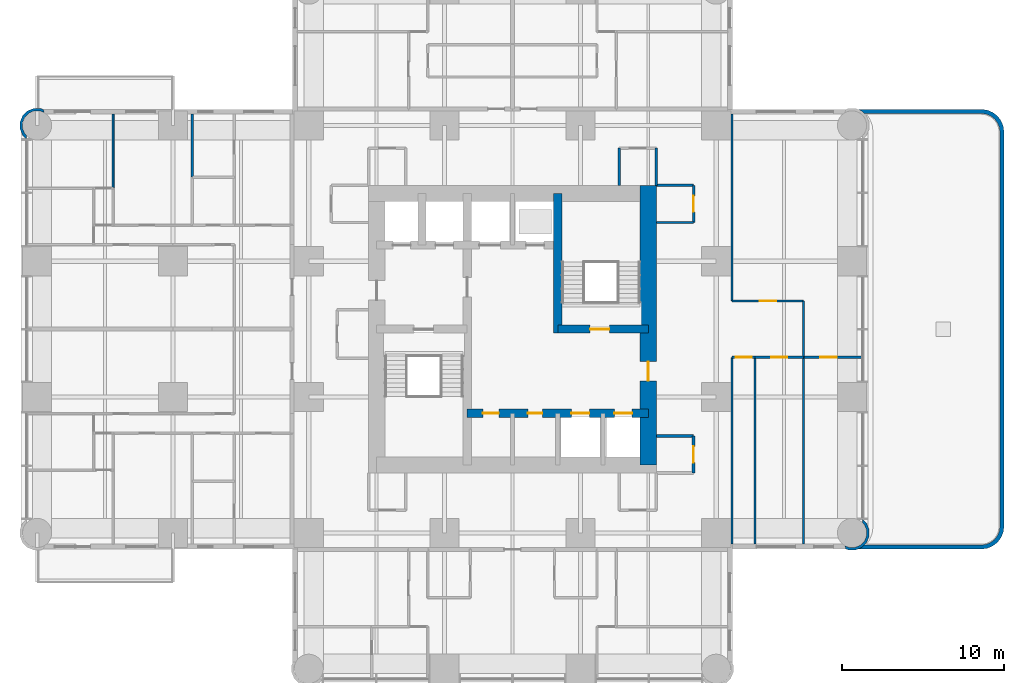
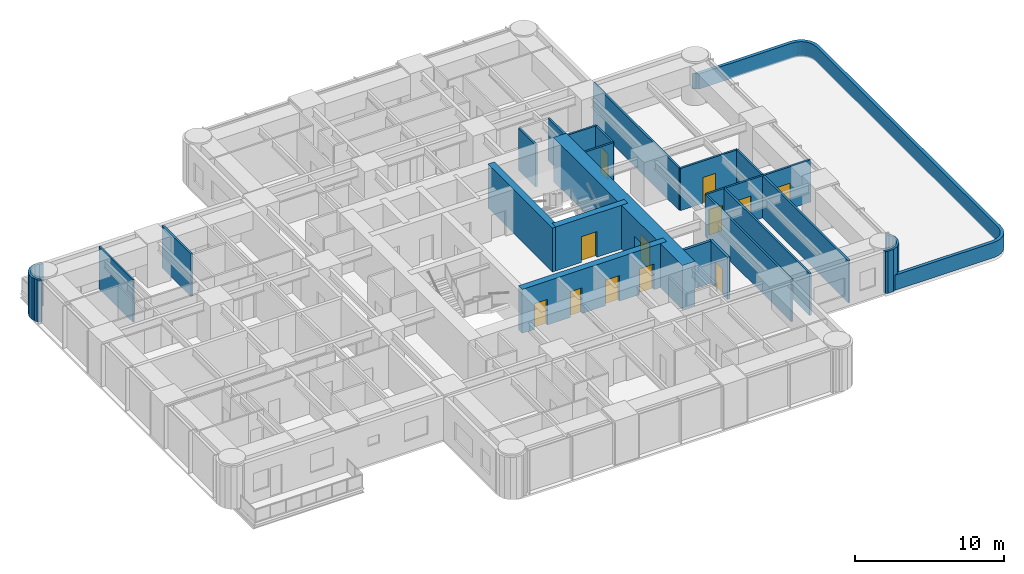
# One storey, part 8 of 12: 25 walls, 12 doors, 12 openings.
"""IFC4 building model written with IfcOpenShell, lengths in metres."""

import ifcopenshell
import ifcopenshell.guid

model = None  # the IFC model being written
_history = None  # IfcOwnerHistory: only IFC2X3 demands one
_inside = {}  # id of a spatial element -> (the spatial element, [elements in it])
_under = {}  # id of a project, library or spatial element -> (it, [spatial elements below it])
_declared = {}  # id of a project -> (the project, [libraries it declares])
_typed = {}  # id of a type object -> (the type object, [elements of that type])
_made_of = {}  # id of a material, layer set ... -> (it, [elements and type objects made of it])


def new_model(schema):
    """Start an empty IFC model of exactly this schema.

    Asked for "IFC4X3", IfcOpenShell would pick the latest addendum, in which some entities
    have other attributes; the version numbers below select the first issue.
    IFC2X3 requires an IfcOwnerHistory on every rooted entity: one is made here for all.
    """
    global model, _history
    if schema == "IFC4X3":
        model = ifcopenshell.file(schema_version=(4, 3, 0, 0))
    else:
        model = ifcopenshell.file(schema=schema)
    _inside.clear()
    _under.clear()
    _declared.clear()
    _typed.clear()
    _made_of.clear()
    _history = None
    if model.schema == "IFC2X3":
        org = make("IfcOrganization", Name="unknown")
        user = make(
            "IfcPersonAndOrganization",
            ThePerson=make("IfcPerson", FamilyName="unknown"),
            TheOrganization=org,
        )
        app = make(
            "IfcApplication",
            ApplicationDeveloper=org,
            Version="unknown",
            ApplicationFullName="unknown",
            ApplicationIdentifier="unknown",
        )
        _history = make(
            "IfcOwnerHistory",
            OwningUser=user,
            OwningApplication=app,
            ChangeAction="ADDED",
            CreationDate=0,
        )
    return model


def make(cls, **values):
    """One entity of the class cls with the attributes given. An attribute that is None is left unset."""
    return model.create_entity(
        cls, **{name: value for name, value in values.items() if value is not None}
    )


def rooted(cls, **values):
    """An entity with a GlobalId (a new one), such as an element, a storey or a relation."""
    return make(cls, GlobalId=ifcopenshell.guid.new(), OwnerHistory=_history, **values)


def si_unit(unit_type, name, prefix=None):
    """IfcSIUnit, for example si_unit("LENGTHUNIT", "METRE", prefix="MILLI")."""
    return make("IfcSIUnit", UnitType=unit_type, Prefix=prefix, Name=name)


def assignment(units):
    """IfcUnitAssignment: the units of a project."""
    return None if units is None else make("IfcUnitAssignment", Units=units)


def point(xyz):
    """IfcCartesianPoint."""
    return None if xyz is None else make("IfcCartesianPoint", Coordinates=xyz)


def direction(xyz):
    """IfcDirection."""
    return None if xyz is None else make("IfcDirection", DirectionRatios=xyz)


def frame(location, z_axis=None, x_axis=None):
    """IfcAxis2Placement3D, a coordinate frame: its origin and axes. An axis left out is left unset."""
    return make(
        "IfcAxis2Placement3D",
        Location=point(location),
        Axis=direction(z_axis),
        RefDirection=direction(x_axis),
    )


def frame_2d(location, x_axis=None):
    """IfcAxis2Placement2D, a coordinate frame in the plane: its origin and x axis."""
    return make(
        "IfcAxis2Placement2D", Location=point(location), RefDirection=direction(x_axis)
    )


def origin():
    """The frame at (0, 0, 0) with its axes left unset."""
    return frame((0.0, 0.0, 0.0))


def place(relative_to, where):
    """IfcLocalPlacement: puts the frame where relative to a parent placement (None: the world)."""
    return make(
        "IfcLocalPlacement", PlacementRelTo=relative_to, RelativePlacement=where
    )


def context(
    kind, dimensions, precision=None, world=None, true_north=None, identifier=None
):
    """IfcGeometricRepresentationContext, for example the 3D "Model" context."""
    return make(
        "IfcGeometricRepresentationContext",
        ContextIdentifier=identifier,
        ContextType=kind,
        CoordinateSpaceDimension=dimensions,
        Precision=precision,
        WorldCoordinateSystem=world,
        TrueNorth=true_north,
    )


def subcontext(parent, identifier, kind, view, scale=None):
    """IfcGeometricRepresentationSubContext, for example "Body" below "Model"."""
    return make(
        "IfcGeometricRepresentationSubContext",
        ContextIdentifier=identifier,
        ContextType=kind,
        ParentContext=parent,
        TargetScale=scale,
        TargetView=view,
    )


def project(units=None, contexts=None):
    """IfcProject with its units and contexts."""
    return rooted(
        "IfcProject",
        Name="project",
        RepresentationContexts=contexts,
        UnitsInContext=assignment(units),
    )


def spatial(cls, under=None, at=None, **own):
    """A site, building, storey or space (cls), placed at a placement, below another one or the project."""
    s = rooted(cls, ObjectPlacement=at, **own)
    if under is not None:
        _under.setdefault(under.id(), (under, []))[1].append(s)
    return s


def polyline(points):
    """IfcPolyline through the points."""
    return make("IfcPolyline", Points=[point(p) for p in points])


def profile(cls, at=None, kind="AREA", **sizes):
    """A parametric profile (cls). Its sizes go by their IFC names, for example OverallWidth=200.0."""
    return make(cls, ProfileType=kind, Position=at, **sizes)


def rectangle(**sizes):
    """IfcRectangleProfileDef."""
    return profile("IfcRectangleProfileDef", **sizes)


def outline(outer, holes=None, kind="AREA"):
    """IfcArbitraryClosedProfileDef: a profile drawn as a closed curve; with holes, ...WithVoids."""
    if holes is None:
        return make("IfcArbitraryClosedProfileDef", ProfileType=kind, OuterCurve=outer)
    return make(
        "IfcArbitraryProfileDefWithVoids",
        ProfileType=kind,
        OuterCurve=outer,
        InnerCurves=holes,
    )


def extrude(swept, where, along, depth):
    """IfcExtrudedAreaSolid: the profile swept, set in the frame where, extruded along a direction by depth."""
    return make(
        "IfcExtrudedAreaSolid",
        SweptArea=swept,
        Position=where,
        ExtrudedDirection=direction(along),
        Depth=depth,
    )


def shape(context_of_items, identifier, shape_type, items):
    """IfcShapeRepresentation: the items that make up one representation, for example the "Body"."""
    return make(
        "IfcShapeRepresentation",
        ContextOfItems=context_of_items,
        RepresentationIdentifier=identifier,
        RepresentationType=shape_type,
        Items=items,
    )


def material(Name=None, Category=None):
    """IfcMaterial."""
    return make("IfcMaterial", Name=Name, Category=Category)


def layer(
    of_material, thickness, ventilated=None, Name=None, Category=None, Priority=None
):
    """IfcMaterialLayer: one layer of a wall or slab, of a material (None: an air gap)."""
    return make(
        "IfcMaterialLayer",
        Material=of_material,
        LayerThickness=thickness,
        IsVentilated=ventilated,
        Name=Name,
        Category=Category,
        Priority=Priority,
    )


def layer_set(layers, Name=None):
    """IfcMaterialLayerSet."""
    return make("IfcMaterialLayerSet", MaterialLayers=layers, LayerSetName=Name)


def made_of(thing, what):
    """Note that an element or type object is made of a material, layer set ...; save() writes the relation."""
    if what is not None:
        _made_of.setdefault(what.id(), (what, []))[1].append(thing)
    return thing


def type_object(cls, material=None, **own):
    """A type object (cls), such as IfcWallType, which elements share."""
    return made_of(rooted(cls, **own), material)


def element(
    cls,
    number,
    at=None,
    inside=None,
    cuts=None,
    type_object=None,
    material=None,
    context=None,
    identifier="Body",
    shape_type=None,
    held_by="IfcProductDefinitionShape",
    body=None,
    shapes=None,
    **own,
):
    """One element of the class cls, such as IfcWall. Its Tag is "e" and its number.

    at: its placement. inside: the storey or other place that contains it. cuts: it is an
    opening in that element (IfcRelVoidsElement). A single representation is given by context,
    identifier, shape_type and body (its items); several are given by shapes. held_by: the class
    of the entity that holds the representations. save() writes the other relations.
    """
    e = rooted(cls, Tag="e%d" % number, ObjectPlacement=at, **own)
    if body is not None:
        shapes = [shape(context, identifier, shape_type, body)]
    if shapes is not None:
        e.Representation = make(held_by, Representations=shapes)
    if inside is not None:
        _inside.setdefault(inside.id(), (inside, []))[1].append(e)
    if cuts is not None:
        rooted(
            "IfcRelVoidsElement", RelatingBuildingElement=cuts, RelatedOpeningElement=e
        )
    if type_object is not None:
        _typed.setdefault(type_object.id(), (type_object, []))[1].append(e)
    return made_of(e, material)


def fill(opening, filler):
    """IfcRelFillsElement: the door or window that sits in an opening."""
    return rooted(
        "IfcRelFillsElement",
        RelatingOpeningElement=opening,
        RelatedBuildingElement=filler,
    )


def aggregate(whole, parts):
    """IfcRelAggregates: a whole, such as a stair, and the parts it consists of."""
    return rooted("IfcRelAggregates", RelatingObject=whole, RelatedObjects=parts)


def save(model, path):
    """Write the relations noted so far, then the file.

    IfcRelAggregates (storeys below a building ...), IfcRelContainedInSpatialStructure (elements
    in a storey), IfcRelDefinesByType, IfcRelAssociatesMaterial and IfcRelDeclares: one each for
    every whole, place, type object, material and project.
    """
    for whole, parts in _under.values():
        aggregate(whole, parts)
    for where, things in _inside.values():
        rooted(
            "IfcRelContainedInSpatialStructure",
            RelatedElements=things,
            RelatingStructure=where,
        )
    for kind, things in _typed.values():
        rooted("IfcRelDefinesByType", RelatedObjects=things, RelatingType=kind)
    for what, things in _made_of.values():
        rooted("IfcRelAssociatesMaterial", RelatedObjects=things, RelatingMaterial=what)
    for by, libraries in _declared.values():
        rooted("IfcRelDeclares", RelatingContext=by, RelatedDefinitions=libraries)
    model.write(path)


model = new_model("IFC4")

# Units and contexts
model_context = context("Model", 3, precision=1e-05, world=origin(), true_north=direction((0.0, 1.0)))
body_context = subcontext(model_context, "Body", "Model", "MODEL_VIEW")
ifc_project = project(units=[si_unit("LENGTHUNIT", "METRE"), si_unit("AREAUNIT", "SQUARE_METRE"), si_unit("VOLUMEUNIT", "CUBIC_METRE"), si_unit("PLANEANGLEUNIT", "RADIAN"), si_unit("MASSUNIT", "GRAM", prefix="KILO")], contexts=[model_context])

# Site, building, storey
site_placement = place(None, origin())
site = spatial("IfcSite", under=ifc_project, at=site_placement, CompositionType="ELEMENT")
building_placement = place(site_placement, origin())
building = spatial("IfcBuilding", under=site, at=building_placement, Name="Torre Alcanfor", CompositionType="ELEMENT")
storey_placement = place(building_placement, frame((0.0, 0.0, 183.300048828125)))
storey = spatial("IfcBuildingStorey", under=building, at=storey_placement, Name="L47", CompositionType="ELEMENT", Elevation=183.300048828125)

# Wall
ifc_material_1 = material(Name="Gypsum board on steel studs", Category="steel")
ifc_layer_1 = layer(ifc_material_1, 0.1201171875)
ifc_layer_set_1 = layer_set([ifc_layer_1], Name="Apartment partition 120")
wall_type_1 = type_object("IfcWallType", Name="Apartment partition 120", PredefinedType="PARTITIONING", material=ifc_layer_set_1)
wall_1_placement = place(storey_placement, frame((4.699951171875, 38.114013671875, 0.0), z_axis=(0.0, 0.0, 1.0), x_axis=(0.0, 1.0, 0.0)))
element("IfcWall", 1, at=wall_1_placement, inside=storey, type_object=wall_type_1, Name="Partition L47-W2-BED3 / L47-W2-MASTER", PredefinedType="PARTITIONING", context=body_context, shape_type="SweptSolid", body=[
    extrude(rectangle(XDim=4.5859375, YDim=0.1201171875, at=frame_2d((2.29296875, 0.0))), origin(), (0.0, 0.0, 1.0), 3.449951171875),
])

# Wall, openings, doors
ifc_material_2 = material(Name="Concrete f'c 70 MPa", Category="concrete")
ifc_layer_2 = layer(ifc_material_2, 0.5)
ifc_layer_set_2 = layer_set([ifc_layer_2], Name="Core inner wall 500 f'c70")
wall_type_2 = type_object("IfcWallType", Name="Core inner wall 500 f'c70", PredefinedType="SHEAR", material=ifc_layer_set_2)
wall_2_placement = place(storey_placement, frame((26.60009765625, 24.199951171875, 0.0), z_axis=(0.0, 0.0, 1.0), x_axis=(1.0, 0.0, 0.0)))
wall_2 = element("IfcWall", 2, at=wall_2_placement, inside=storey, type_object=wall_type_2, Name="Core wall Y242 L47", PredefinedType="SHEAR", context=body_context, shape_type="SweptSolid", body=[
    extrude(rectangle(XDim=11.199951171875, YDim=0.5, at=frame_2d((5.60009765625, 0.0))), origin(), (0.0, 0.0, 1.0), 3.599853515625),
])
opening_1_placement = place(wall_2_placement, frame((0.96240234375, 0.0, 0.0)))
opening_1 = element("IfcOpeningElement", 3, at=opening_1_placement, cuts=wall_2, Name="Opening D-K1", PredefinedType="OPENING", context=body_context, shape_type="SweptSolid", body=[
    extrude(rectangle(XDim=1.0, YDim=2.10009765625, at=frame_2d((0.5, 1.050048828125))), frame((0.0, 0.260009765625, 0.0), z_axis=(0.0, -1.0, 0.0), x_axis=(1.0, 0.0, 0.0)), (0.0, 0.0, 1.0), 0.52001953125),
])
opening_2_placement = place(wall_2_placement, frame((3.75, 0.0, 0.0)))
opening_2 = element("IfcOpeningElement", 4, at=opening_2_placement, cuts=wall_2, Name="Opening D-Q1", PredefinedType="OPENING", context=body_context, shape_type="SweptSolid", body=[
    extrude(rectangle(XDim=0.89990234375, YDim=2.10009765625, at=frame_2d((0.449951171875, 1.050048828125))), frame((0.0, 0.260009765625, 0.0), z_axis=(0.0, -1.0, 0.0), x_axis=(1.0, 0.0, 0.0)), (0.0, 0.0, 1.0), 0.52001953125),
])
opening_3_placement = place(wall_2_placement, frame((6.449951171875, 0.0, 0.0)))
opening_3 = element("IfcOpeningElement", 5, at=opening_3_placement, cuts=wall_2, Name="Opening LD1", PredefinedType="OPENING", context=body_context, shape_type="SweptSolid", body=[
    extrude(rectangle(XDim=1.10009765625, YDim=2.10009765625, at=frame_2d((0.550048828125, 1.050048828125))), frame((0.0, 0.260009765625, 0.0), z_axis=(0.0, -1.0, 0.0), x_axis=(1.0, 0.0, 0.0)), (0.0, 0.0, 1.0), 0.52001953125),
])
opening_4_placement = place(wall_2_placement, frame((9.10009765625, 0.0, 0.0)))
opening_4 = element("IfcOpeningElement", 6, at=opening_4_placement, cuts=wall_2, Name="Opening LD1", PredefinedType="OPENING", context=body_context, shape_type="SweptSolid", body=[
    extrude(rectangle(XDim=1.10009765625, YDim=2.10009765625, at=frame_2d((0.550048828125, 1.050048828125))), frame((0.0, 0.260009765625, 0.0), z_axis=(0.0, -1.0, 0.0), x_axis=(1.0, 0.0, 0.0)), (0.0, 0.0, 1.0), 0.52001953125),
])
ifc_material_3 = material(Name="Galvanised steel sheet ASTM A653", Category="steel")
door_type_1 = type_object("IfcDoorType", Name="Core room door FD60 1000x2100", OperationType="SINGLE_SWING_LEFT", PredefinedType="DOOR", material=ifc_material_3)
door_1_placement = place(opening_1_placement, frame((1.0, 0.0, 0.0), z_axis=(0.0, 0.0, 1.0), x_axis=(-1.0, 0.0, 0.0)))
door_1 = element("IfcDoor", 7, at=door_1_placement, inside=storey, type_object=door_type_1, Name="Housekeeping store door L47", OperationType="SINGLE_SWING_RIGHT", OverallHeight=2.10009765625, OverallWidth=1.0, PredefinedType="DOOR", context=body_context, shape_type="SweptSolid", body=[
    extrude(rectangle(XDim=1.0, YDim=2.10009765625, at=frame_2d((0.5, 1.050048828125))), frame((0.0, 0.025146484375, 0.0), z_axis=(0.0, -1.0, 0.0), x_axis=(1.0, 0.0, 0.0)), (0.0, 0.0, 1.0), 0.050048828125),
])
fill(opening_1, door_1)
ifc_material_4 = material(Name="Galvanised steel sheet ASTM A653", Category="steel")
door_type_2 = type_object("IfcDoorType", Name="Lift landing door 1100x2100", OperationType="DOUBLE_DOOR_SLIDING", PredefinedType="DOOR", material=ifc_material_4)
door_2_placement = place(opening_3_placement, origin())
door_2 = element("IfcDoor", 8, at=door_2_placement, inside=storey, type_object=door_type_2, Name="Lift landing door PA3 L47", OperationType="DOUBLE_DOOR_SLIDING", OverallHeight=2.10009765625, OverallWidth=1.10009765625, PredefinedType="DOOR", context=body_context, shape_type="SweptSolid", body=[
    extrude(rectangle(XDim=1.10009765625, YDim=2.10009765625, at=frame_2d((0.550048828125, 1.050048828125))), frame((0.0, 0.02490234375, 0.0), z_axis=(0.0, -1.0, 0.0), x_axis=(1.0, 0.0, 0.0)), (0.0, 0.0, 1.0), 0.050048828125),
])
fill(opening_3, door_2)
door_3_placement = place(opening_4_placement, origin())
door_3 = element("IfcDoor", 9, at=door_3_placement, inside=storey, type_object=door_type_2, Name="Lift landing door PA4 L47", OperationType="DOUBLE_DOOR_SLIDING", OverallHeight=2.10009765625, OverallWidth=1.10009765625, PredefinedType="DOOR", context=body_context, shape_type="SweptSolid", body=[
    extrude(rectangle(XDim=1.10009765625, YDim=2.10009765625, at=frame_2d((0.550048828125, 1.050048828125))), frame((0.0, 0.02490234375, 0.0), z_axis=(0.0, -1.0, 0.0), x_axis=(1.0, 0.0, 0.0)), (0.0, 0.0, 1.0), 0.050048828125),
])
fill(opening_4, door_3)
ifc_material_5 = material(Name="Galvanised steel sheet ASTM A653", Category="steel")
door_type_3 = type_object("IfcDoorType", Name="Riser access door FD120 900x2100", OperationType="SINGLE_SWING_LEFT", PredefinedType="DOOR", material=ifc_material_5)
door_4_placement = place(opening_2_placement, frame((0.89990234375, 0.0, 0.0), z_axis=(0.0, 0.0, 1.0), x_axis=(-1.0, 0.0, 0.0)))
door_4 = element("IfcDoor", 10, at=door_4_placement, inside=storey, type_object=door_type_3, Name="Riser door L47", OperationType="SINGLE_SWING_RIGHT", OverallHeight=2.10009765625, OverallWidth=0.89990234375, PredefinedType="DOOR", context=body_context, shape_type="SweptSolid", body=[
    extrude(rectangle(XDim=0.89990234375, YDim=2.10009765625, at=frame_2d((0.449951171875, 1.050048828125))), frame((0.0, 0.025146484375, 0.0), z_axis=(0.0, -1.0, 0.0), x_axis=(1.0, 0.0, 0.0)), (0.0, 0.0, 1.0), 0.050048828125),
])
fill(opening_2, door_4)

# Wall
wall_3_placement = place(storey_placement, frame((32.199951171875, 29.14990234375, 0.0), z_axis=(0.0, 0.0, 1.0), x_axis=(0.0, 1.0, 0.0)))
element("IfcWall", 11, at=wall_3_placement, inside=storey, type_object=wall_type_2, Name="Core wall X322N L47", PredefinedType="SHEAR", context=body_context, shape_type="SweptSolid", body=[
    extrude(rectangle(XDim=8.650146484375, YDim=0.5, at=frame_2d((4.3251953125, 0.0))), origin(), (0.0, 0.0, 1.0), 3.599853515625),
])

# Wall, opening, door
wall_4_placement = place(storey_placement, frame((32.199951171875, 29.39990234375, 0.0), z_axis=(0.0, 0.0, 1.0), x_axis=(1.0, 0.0, 0.0)))
wall_4 = element("IfcWall", 12, at=wall_4_placement, inside=storey, type_object=wall_type_2, Name="Core wall Y294E L47", PredefinedType="SHEAR", context=body_context, shape_type="SweptSolid", body=[
    extrude(rectangle(XDim=5.60009765625, YDim=0.5, at=frame_2d((2.800048828125, 0.0))), origin(), (0.0, 0.0, 1.0), 3.599853515625),
])
opening_5_placement = place(wall_4_placement, frame((2.0, 0.0, 0.0)))
opening_5 = element("IfcOpeningElement", 13, at=opening_5_placement, cuts=wall_4, Name="Opening D-S2", PredefinedType="OPENING", context=body_context, shape_type="SweptSolid", body=[
    extrude(rectangle(XDim=1.199951171875, YDim=2.10009765625, at=frame_2d((0.60009765625, 1.050048828125))), frame((0.0, 0.260009765625, 0.0), z_axis=(0.0, -1.0, 0.0), x_axis=(1.0, 0.0, 0.0)), (0.0, 0.0, 1.0), 0.52001953125),
])
ifc_material_6 = material(Name="Galvanised steel sheet ASTM A653", Category="steel")
door_type_4 = type_object("IfcDoorType", Name="Stair enclosure door FD120 1200x2100", OperationType="SINGLE_SWING_LEFT", PredefinedType="DOOR", material=ifc_material_6)
door_5_placement = place(opening_5_placement, origin())
door_5 = element("IfcDoor", 14, at=door_5_placement, inside=storey, type_object=door_type_4, Name="Stair S2 door L47", OperationType="SINGLE_SWING_LEFT", OverallHeight=2.10009765625, OverallWidth=1.199951171875, PredefinedType="DOOR", context=body_context, shape_type="SweptSolid", body=[
    extrude(rectangle(XDim=1.199951171875, YDim=2.10009765625, at=frame_2d((0.60009765625, 1.050048828125))), frame((0.0, 0.02490234375, 0.0), z_axis=(0.0, -1.0, 0.0), x_axis=(1.0, 0.0, 0.0)), (0.0, 0.0, 1.0), 0.050048828125),
])
fill(opening_5, door_5)

ifc_material_7 = material(Name="Concrete f'c 70 MPa", Category="concrete")
ifc_layer_3 = layer(ifc_material_7, 1.0)
ifc_layer_set_3 = layer_set([ifc_layer_3], Name="Core wall 1000 f'c70")
wall_type_3 = type_object("IfcWallType", Name="Core wall 1000 f'c70", PredefinedType="SHEAR", material=ifc_layer_set_3)
wall_5_placement = place(storey_placement, frame((37.800048828125, 21.0, 0.0), z_axis=(0.0, 0.0, 1.0), x_axis=(0.0, 1.0, 0.0)))
wall_5 = element("IfcWall", 15, at=wall_5_placement, inside=storey, type_object=wall_type_3, Name="Core wall OUT-E L47", PredefinedType="SHEAR", context=body_context, shape_type="SweptSolid", body=[
    extrude(rectangle(XDim=17.300048828125, YDim=1.0, at=frame_2d((8.64990234375, 0.0))), origin(), (0.0, 0.0, 1.0), 3.599853515625),
])
opening_6_placement = place(wall_5_placement, frame((5.199951171875, 0.0, 0.0)))
opening_6 = element("IfcOpeningElement", 16, at=opening_6_placement, cuts=wall_5, Name="Opening D-L1", PredefinedType="OPENING", context=body_context, shape_type="SweptSolid", body=[
    extrude(rectangle(XDim=1.199951171875, YDim=2.10009765625, at=frame_2d((0.60009765625, 1.050048828125))), frame((0.0, 0.510009765625, 0.0), z_axis=(0.0, -1.0, 0.0), x_axis=(1.0, 0.0, 0.0)), (0.0, 0.0, 1.0), 1.02001953125),
])
ifc_material_8 = material(Name="Galvanised steel sheet ASTM A653", Category="steel")
door_type_5 = type_object("IfcDoorType", Name="Lobby door FD120 1200x2100", OperationType="SINGLE_SWING_LEFT", PredefinedType="DOOR", material=ifc_material_8)
door_6_placement = place(opening_6_placement, origin())
door_6 = element("IfcDoor", 17, at=door_6_placement, inside=storey, type_object=door_type_5, Name="Lift lobby entrance door L47", OperationType="SINGLE_SWING_LEFT", OverallHeight=2.10009765625, OverallWidth=1.199951171875, PredefinedType="DOOR", context=body_context, shape_type="SweptSolid", body=[
    extrude(rectangle(XDim=1.199951171875, YDim=2.10009765625, at=frame_2d((0.60009765625, 1.050048828125))), frame((0.0, 0.02490234375, 0.0), z_axis=(0.0, -1.0, 0.0), x_axis=(1.0, 0.0, 0.0)), (0.0, 0.0, 1.0), 0.050048828125),
])
fill(opening_6, door_6)

# Wall
ifc_material_9 = material(Name="Limestone cladding", Category="masonry")
ifc_layer_4 = layer(ifc_material_9, 0.0400390625, Name="Facing")
ifc_material_10 = material(Name="Ventilated air cavity")
ifc_layer_5 = layer(ifc_material_10, 0.02001953125, ventilated=True, Name="Ventilated joint")
ifc_material_11 = material(Name="Concrete f'c 35 MPa", Category="concrete")
ifc_layer_6 = layer(ifc_material_11, 0.18994140625, Name="Backing")
ifc_layer_set_4 = layer_set([ifc_layer_4, ifc_layer_5, ifc_layer_6], Name="Parapet stone-clad 250")
wall_type_4 = type_object("IfcWallType", Name="Parapet stone-clad 250", PredefinedType="PARAPET", material=ifc_layer_set_4)
wall_6_placement = place(storey_placement, origin())
element("IfcWall", 18, at=wall_6_placement, inside=storey, type_object=wall_type_4, Name="Parapet L47 1", PredefinedType="PARAPET", context=body_context, shape_type="SweptSolid", body=[
    extrude(outline(polyline([(59.10009765625, 42.8125), (59.389892578125, 42.58984375), (59.6123046875, 42.300048828125), (59.752197265625, 41.96240234375), (59.800048828125, 41.60009765625), (59.800048828125, 17.199951171875), (59.752197265625, 16.837646484375), (59.6123046875, 16.5), (59.389892578125, 16.210205078125), (59.10009765625, 15.987548828125), (58.76220703125, 15.84765625), (58.39990234375, 15.800048828125), (50.755615234375, 15.800048828125), (51.00048828125, 15.9013671875), (51.158935546875, 16.06005859375), (51.189697265625, 16.06005859375), (51.18212890625, 16.050048828125), (58.383544921875, 16.050048828125), (58.697021484375, 16.09130859375), (58.973876953125, 16.2060546875), (59.211669921875, 16.388427734375), (59.39404296875, 16.626220703125), (59.5087890625, 16.903076171875), (59.550048828125, 17.21630859375), (59.550048828125, 41.58349609375), (59.5087890625, 41.89697265625), (59.39404296875, 42.173828125), (59.211669921875, 42.41162109375), (58.973876953125, 42.593994140625), (58.697021484375, 42.708740234375), (58.383544921875, 42.75), (51.18212890625, 42.75), (51.189697265625, 42.739990234375), (51.158935546875, 42.739990234375), (51.00048828125, 42.898681640625), (50.755615234375, 43.0), (58.39990234375, 43.0), (58.76220703125, 42.952392578125), (59.10009765625, 42.8125)])), origin(), (0.0, 0.0, 1.0), 1.25),
])

# Wall, opening, door
ifc_material_12 = material(Name="Concrete block masonry, hollow blocks NMX-C-404 9 MPa", Category="masonry")
ifc_layer_7 = layer(ifc_material_12, 0.199951171875)
ifc_layer_set_5 = layer_set([ifc_layer_7], Name="Plant room wall 200 EI 60")
wall_type_5 = type_object("IfcWallType", Name="Plant room wall 200 EI 60", PredefinedType="PARTITIONING", material=ifc_layer_set_5)
wall_7_placement = place(storey_placement, frame((40.60009765625, 20.5, 0.0), z_axis=(0.0, 0.0, 1.0), x_axis=(0.0, 1.0, 0.0)))
wall_7 = element("IfcWall", 19, at=wall_7_placement, inside=storey, type_object=wall_type_5, Name="Partition L47-CORR / L47-G03", PredefinedType="PARTITIONING", context=body_context, shape_type="SweptSolid", body=[
    extrude(rectangle(XDim=2.300048828125, YDim=0.199951171875, at=frame_2d((1.14990234375, 0.0))), origin(), (0.0, 0.0, 1.0), 3.449951171875),
])
opening_7_placement = place(wall_7_placement, frame((0.64990234375, 0.0, 0.0)))
opening_7 = element("IfcOpeningElement", 20, at=opening_7_placement, cuts=wall_7, Name="Opening D-K1", PredefinedType="OPENING", context=body_context, shape_type="SweptSolid", body=[
    extrude(rectangle(XDim=1.0, YDim=2.10009765625, at=frame_2d((0.5, 1.050048828125))), frame((0.0, 0.10986328125, 0.0), z_axis=(0.0, -1.0, 0.0), x_axis=(1.0, 0.0, 0.0)), (0.0, 0.0, 1.0), 0.219970703125),
])
door_7_placement = place(opening_7_placement, origin())
door_7 = element("IfcDoor", 21, at=door_7_placement, inside=storey, type_object=door_type_1, Name="Door L47-G03 refuse and recycling store", OperationType="SINGLE_SWING_LEFT", OverallHeight=2.10009765625, OverallWidth=1.0, PredefinedType="DOOR", context=body_context, shape_type="SweptSolid", body=[
    extrude(rectangle(XDim=1.0, YDim=2.10009765625, at=frame_2d((0.5, 1.050048828125))), frame((0.0, 0.02490234375, 0.0), z_axis=(0.0, -1.0, 0.0), x_axis=(1.0, 0.0, 0.0)), (0.0, 0.0, 1.0), 0.050048828125),
])
fill(opening_7, door_7)

# Walls
wall_8_placement = place(storey_placement, frame((40.60009765625, 22.800048828125, 0.0), z_axis=(0.0, 0.0, 1.0), x_axis=(-1.0, 0.0, 0.0)))
element("IfcWall", 22, at=wall_8_placement, inside=storey, type_object=wall_type_5, Name="Partition L47-CORR / L47-G03", PredefinedType="PARTITIONING", context=body_context, shape_type="SweptSolid", body=[
    extrude(rectangle(XDim=2.300048828125, YDim=0.199951171875, at=frame_2d((1.14990234375, 0.0))), origin(), (0.0, 0.0, 1.0), 3.449951171875),
])
ifc_material_13 = material(Name="Concrete block masonry, hollow blocks NMX-C-404 9 MPa", Category="masonry")
ifc_layer_8 = layer(ifc_material_13, 0.14990234375)
ifc_layer_set_6 = layer_set([ifc_layer_8], Name="Residents' room partition 150")
wall_type_6 = type_object("IfcWallType", Name="Residents' room partition 150", PredefinedType="PARTITIONING", material=ifc_layer_set_6)
for number, where, z_axis, x_axis, name in (
    (23, (38.300048828125, 38.300048828125, 0.0), (0.0, 0.0, 1.0), (0.0, 1.0, 0.0), "Partition L47-CORR / L47-G02"),
    (24, (36.0, 40.60009765625, 0.0), (0.0, 0.0, 1.0), (0.0, -1.0, 0.0), "Partition L47-CORR / L47-G02"),
    (25, (38.300048828125, 36.0, 0.0), (0.0, 0.0, 1.0), (1.0, 0.0, 0.0), "Partition L47-CORR / L47-G04"),
):
    element("IfcWall", number, at=place(storey_placement, frame(where, z_axis=z_axis, x_axis=x_axis)), inside=storey, type_object=wall_type_6, Name=name, PredefinedType="PARTITIONING", context=body_context, shape_type="SweptSolid", body=[
        extrude(rectangle(XDim=2.300048828125, YDim=0.14990234375, at=frame_2d((1.14990234375, 0.0))), origin(), (0.0, 0.0, 1.0), 3.449951171875),
    ])

# Wall, opening, door
wall_9_placement = place(storey_placement, frame((40.60009765625, 36.0, 0.0), z_axis=(0.0, 0.0, 1.0), x_axis=(0.0, 1.0, 0.0)))
wall_9 = element("IfcWall", 26, at=wall_9_placement, inside=storey, type_object=wall_type_6, Name="Partition L47-CORR / L47-G04", PredefinedType="PARTITIONING", context=body_context, shape_type="SweptSolid", body=[
    extrude(rectangle(XDim=2.300048828125, YDim=0.14990234375, at=frame_2d((1.14990234375, 0.0))), origin(), (0.0, 0.0, 1.0), 3.449951171875),
])
opening_8_placement = place(wall_9_placement, frame((0.64990234375, 0.0, 0.0)))
opening_8 = element("IfcOpeningElement", 27, at=opening_8_placement, cuts=wall_9, Name="Opening D-M1", PredefinedType="OPENING", context=body_context, shape_type="SweptSolid", body=[
    extrude(rectangle(XDim=1.0, YDim=2.10009765625, at=frame_2d((0.5, 1.050048828125))), frame((0.0, 0.0849609375, 0.0), z_axis=(0.0, -1.0, 0.0), x_axis=(1.0, 0.0, 0.0)), (0.0, 0.0, 1.0), 0.169921875),
])
ifc_material_14 = material(Name="Timber", Category="wood")
door_type_6 = type_object("IfcDoorType", Name="Residents' room door 1000x2100", OperationType="SINGLE_SWING_LEFT", PredefinedType="DOOR", material=ifc_material_14)
door_8_placement = place(opening_8_placement, origin())
door_8 = element("IfcDoor", 28, at=door_8_placement, inside=storey, type_object=door_type_6, Name="Door L47-G04 linen store", OperationType="SINGLE_SWING_LEFT", OverallHeight=2.10009765625, OverallWidth=1.0, PredefinedType="DOOR", context=body_context, shape_type="SweptSolid", body=[
    extrude(rectangle(XDim=1.0, YDim=2.10009765625, at=frame_2d((0.5, 1.050048828125))), frame((0.0, 0.02490234375, 0.0), z_axis=(0.0, -1.0, 0.0), x_axis=(1.0, 0.0, 0.0)), (0.0, 0.0, 1.0), 0.050048828125),
])
fill(opening_8, door_8)

# Walls
wall_10_placement = place(storey_placement, frame((40.60009765625, 38.300048828125, 0.0), z_axis=(0.0, 0.0, 1.0), x_axis=(-1.0, 0.0, 0.0)))
element("IfcWall", 29, at=wall_10_placement, inside=storey, type_object=wall_type_6, Name="Partition L47-CORR / L47-G04", PredefinedType="PARTITIONING", context=body_context, shape_type="SweptSolid", body=[
    extrude(rectangle(XDim=2.300048828125, YDim=0.14990234375, at=frame_2d((1.14990234375, 0.0))), origin(), (0.0, 0.0, 1.0), 3.449951171875),
])
for number, where, z_axis, x_axis, name in (
    (30, (42.97509765625, 42.699951171875, 0.0), (0.0, 0.0, 1.0), (0.0, -1.0, 0.0), "Partition L47-CORR / L47-E-LOUNGE"),
    (31, (42.97509765625, 27.656982421875, 0.0), (0.0, 0.0, 1.0), (0.0, -1.0, 0.0), "Partition L47-CORR / L47-E-WC"),
):
    element("IfcWall", number, at=place(storey_placement, frame(where, z_axis=z_axis, x_axis=x_axis)), inside=storey, type_object=wall_type_6, Name=name, PredefinedType="PARTITIONING", context=body_context, shape_type="SweptSolid", body=[
        extrude(rectangle(XDim=11.556884765625, YDim=0.14990234375, at=frame_2d((5.7783203125, 0.0))), origin(), (0.0, 0.0, 1.0), 3.449951171875),
    ])
wall_11_placement = place(storey_placement, frame((47.39990234375, 27.656982421875, 0.0), z_axis=(0.0, 0.0, 1.0), x_axis=(0.0, 1.0, 0.0)))
element("IfcWall", 32, at=wall_11_placement, inside=storey, type_object=wall_type_6, Name="Partition L47-E-ACORR / L47-E-LOUNGE", PredefinedType="PARTITIONING", context=body_context, shape_type="SweptSolid", body=[
    extrude(rectangle(XDim=3.486083984375, YDim=0.14990234375, at=frame_2d((1.7431640625, 0.0))), origin(), (0.0, 0.0, 1.0), 3.449951171875),
])

# Wall, opening, door
wall_12_placement = place(storey_placement, frame((47.39990234375, 31.14306640625, 0.0), z_axis=(0.0, 0.0, 1.0), x_axis=(-1.0, 0.0, 0.0)))
wall_12 = element("IfcWall", 33, at=wall_12_placement, inside=storey, type_object=wall_type_6, Name="Partition L47-E-ACORR / L47-E-LOUNGE", PredefinedType="PARTITIONING", context=body_context, shape_type="SweptSolid", body=[
    extrude(rectangle(XDim=4.4248046875, YDim=0.14990234375, at=frame_2d((2.21240234375, 0.0))), origin(), (0.0, 0.0, 1.0), 3.449951171875),
])
opening_9_placement = place(wall_12_placement, frame((1.699951171875, 0.0, 0.0)))
opening_9 = element("IfcOpeningElement", 34, at=opening_9_placement, cuts=wall_12, Name="Opening D-M1", PredefinedType="OPENING", context=body_context, shape_type="SweptSolid", body=[
    extrude(rectangle(XDim=1.0, YDim=2.10009765625, at=frame_2d((0.5, 1.050048828125))), frame((0.0, 0.0849609375, 0.0), z_axis=(0.0, -1.0, 0.0), x_axis=(1.0, 0.0, 0.0)), (0.0, 0.0, 1.0), 0.169921875),
])
door_9_placement = place(opening_9_placement, frame((1.0, 0.0, 0.0), z_axis=(0.0, 0.0, 1.0), x_axis=(-1.0, 0.0, 0.0)))
door_9 = element("IfcDoor", 35, at=door_9_placement, inside=storey, type_object=door_type_6, Name="Door L47 E lounge", OperationType="SINGLE_SWING_RIGHT", OverallHeight=2.10009765625, OverallWidth=1.0, PredefinedType="DOOR", context=body_context, shape_type="SweptSolid", body=[
    extrude(rectangle(XDim=1.0, YDim=2.10009765625, at=frame_2d((0.5, 1.050048828125))), frame((0.0, 0.025146484375, 0.0), z_axis=(0.0, -1.0, 0.0), x_axis=(1.0, 0.0, 0.0)), (0.0, 0.0, 1.0), 0.050048828125),
])
fill(opening_9, door_9)

wall_13_placement = place(storey_placement, frame((42.97509765625, 27.656982421875, 0.0), z_axis=(0.0, 0.0, 1.0), x_axis=(1.0, 0.0, 0.0)))
wall_13 = element("IfcWall", 36, at=wall_13_placement, inside=storey, type_object=wall_type_6, Name="Partition L47-E-ACORR / L47-E-WC", PredefinedType="PARTITIONING", context=body_context, shape_type="SweptSolid", body=[
    extrude(rectangle(XDim=1.4248046875, YDim=0.14990234375, at=frame_2d((0.71240234375, 0.0))), origin(), (0.0, 0.0, 1.0), 3.449951171875),
])
opening_10_placement = place(wall_13_placement, frame((0.22509765625, 0.0, 0.0)))
opening_10 = element("IfcOpeningElement", 37, at=opening_10_placement, cuts=wall_13, Name="Opening D-W2", PredefinedType="OPENING", context=body_context, shape_type="SweptSolid", body=[
    extrude(rectangle(XDim=1.0, YDim=2.10009765625, at=frame_2d((0.5, 1.050048828125))), frame((0.0, 0.0849609375, 0.0), z_axis=(0.0, -1.0, 0.0), x_axis=(1.0, 0.0, 0.0)), (0.0, 0.0, 1.0), 0.169921875),
])
ifc_material_15 = material(Name="Timber", Category="wood")
door_type_7 = type_object("IfcDoorType", Name="Accessible WC door 1000x2100", OperationType="SINGLE_SWING_LEFT", PredefinedType="DOOR", material=ifc_material_15)
door_10_placement = place(opening_10_placement, origin())
door_10 = element("IfcDoor", 38, at=door_10_placement, inside=storey, type_object=door_type_7, Name="Door L47 E wc", OperationType="SINGLE_SWING_LEFT", OverallHeight=2.10009765625, OverallWidth=1.0, PredefinedType="DOOR", context=body_context, shape_type="SweptSolid", body=[
    extrude(rectangle(XDim=1.0, YDim=2.10009765625, at=frame_2d((0.5, 1.050048828125))), frame((0.0, 0.02490234375, 0.0), z_axis=(0.0, -1.0, 0.0), x_axis=(1.0, 0.0, 0.0)), (0.0, 0.0, 1.0), 0.050048828125),
])
fill(opening_10, door_10)

wall_14_placement = place(storey_placement, frame((44.39990234375, 27.656982421875, 0.0), z_axis=(0.0, 0.0, 1.0), x_axis=(1.0, 0.0, 0.0)))
wall_14 = element("IfcWall", 39, at=wall_14_placement, inside=storey, type_object=wall_type_6, Name="Partition L47-E-ACORR / L47-E-KITCH", PredefinedType="PARTITIONING", context=body_context, shape_type="SweptSolid", body=[
    extrude(rectangle(XDim=3.0, YDim=0.14990234375, at=frame_2d((1.5, 0.0))), origin(), (0.0, 0.0, 1.0), 3.449951171875),
])
opening_11_placement = place(wall_14_placement, frame((1.0, 0.0, 0.0)))
opening_11 = element("IfcOpeningElement", 40, at=opening_11_placement, cuts=wall_14, Name="Opening D-M1", PredefinedType="OPENING", context=body_context, shape_type="SweptSolid", body=[
    extrude(rectangle(XDim=1.0, YDim=2.10009765625, at=frame_2d((0.5, 1.050048828125))), frame((0.0, 0.0849609375, 0.0), z_axis=(0.0, -1.0, 0.0), x_axis=(1.0, 0.0, 0.0)), (0.0, 0.0, 1.0), 0.169921875),
])
door_11_placement = place(opening_11_placement, frame((1.0, 0.0, 0.0), z_axis=(0.0, 0.0, 1.0), x_axis=(-1.0, 0.0, 0.0)))
door_11 = element("IfcDoor", 41, at=door_11_placement, inside=storey, type_object=door_type_6, Name="Door L47 E kitch", OperationType="SINGLE_SWING_RIGHT", OverallHeight=2.10009765625, OverallWidth=1.0, PredefinedType="DOOR", context=body_context, shape_type="SweptSolid", body=[
    extrude(rectangle(XDim=1.0, YDim=2.10009765625, at=frame_2d((0.5, 1.050048828125))), frame((0.0, 0.025146484375, 0.0), z_axis=(0.0, -1.0, 0.0), x_axis=(1.0, 0.0, 0.0)), (0.0, 0.0, 1.0), 0.050048828125),
])
fill(opening_11, door_11)

wall_15_placement = place(storey_placement, frame((51.050048828125, 27.656982421875, 0.0), z_axis=(0.0, 0.0, 1.0), x_axis=(-1.0, 0.0, 0.0)))
wall_15 = element("IfcWall", 42, at=wall_15_placement, inside=storey, type_object=wall_type_6, Name="Partition L47-E-LOUNGE / L47-E-WGARD", PredefinedType="PARTITIONING", context=body_context, shape_type="SweptSolid", body=[
    extrude(rectangle(XDim=3.650146484375, YDim=0.14990234375, at=frame_2d((1.8251953125, 0.0))), origin(), (0.0, 0.0, 1.0), 3.449951171875),
])
opening_12_placement = place(wall_15_placement, frame((1.60009765625, 0.0, 0.0)))
opening_12 = element("IfcOpeningElement", 43, at=opening_12_placement, cuts=wall_15, Name="Opening D-M1", PredefinedType="OPENING", context=body_context, shape_type="SweptSolid", body=[
    extrude(rectangle(XDim=1.0, YDim=2.10009765625, at=frame_2d((0.5, 1.050048828125))), frame((0.0, 0.0849609375, 0.0), z_axis=(0.0, -1.0, 0.0), x_axis=(1.0, 0.0, 0.0)), (0.0, 0.0, 1.0), 0.169921875),
])
door_12_placement = place(opening_12_placement, origin())
door_12 = element("IfcDoor", 44, at=door_12_placement, inside=storey, type_object=door_type_6, Name="Door L47 E wgard", OperationType="SINGLE_SWING_RIGHT", OverallHeight=2.10009765625, OverallWidth=1.0, PredefinedType="DOOR", context=body_context, shape_type="SweptSolid", body=[
    extrude(rectangle(XDim=1.0, YDim=2.10009765625, at=frame_2d((0.5, 1.050048828125))), frame((0.0, 0.02490234375, 0.0), z_axis=(0.0, -1.0, 0.0), x_axis=(1.0, 0.0, 0.0)), (0.0, 0.0, 1.0), 0.050048828125),
])
fill(opening_12, door_12)

# Walls
for number, where, z_axis, x_axis, name in (
    (45, (44.39990234375, 16.10009765625, 0.0), (0.0, 0.0, 1.0), (0.0, 1.0, 0.0), "Partition L47-E-WC / L47-E-KITCH"),
    (46, (47.39990234375, 16.10009765625, 0.0), (0.0, 0.0, 1.0), (0.0, 1.0, 0.0), "Partition L47-E-KITCH / L47-E-WGARD"),
):
    element("IfcWall", number, at=place(storey_placement, frame(where, z_axis=z_axis, x_axis=x_axis)), inside=storey, type_object=wall_type_6, Name=name, PredefinedType="PARTITIONING", context=body_context, shape_type="SweptSolid", body=[
        extrude(rectangle(XDim=11.556884765625, YDim=0.14990234375, at=frame_2d((5.7783203125, 0.0))), origin(), (0.0, 0.0, 1.0), 3.449951171875),
    ])
ifc_layer_9 = layer(ifc_material_9, 0.0400390625, Name="Facing")
ifc_layer_10 = layer(ifc_material_10, 0.02001953125, ventilated=True, Name="Ventilated joint")
ifc_material_16 = material(Name="Mineral wool insulation", Category="insulation")
ifc_layer_11 = layer(ifc_material_16, 0.10009765625, Name="Insulation")
ifc_layer_12 = layer(ifc_material_11, 0.139892578125, Name="Backing")
ifc_layer_set_7 = layer_set([ifc_layer_9, ifc_layer_10, ifc_layer_11, ifc_layer_12], Name="Rounded corner pier stone-clad 300")
wall_type_7 = type_object("IfcWallType", Name="Rounded corner pier stone-clad 300", PredefinedType="SOLIDWALL", material=ifc_layer_set_7)
wall_16_placement = place(storey_placement, frame((0.363962863, 42.909907157, 0.0), z_axis=(0.0, 0.0, 1.0), x_axis=(-0.926129809145, 0.377204953059, 0.0)))
element("IfcWall", 47, at=wall_16_placement, inside=storey, type_object=wall_type_7, Name="Corner pier L47 13", PredefinedType="SOLIDWALL", context=body_context, shape_type="SweptSolid", body=[
    extrude(outline(polyline([(0.36027248147905344, 1.8032799323574271), (0.5087783723473315, 1.740921099842025), (0.7605913470133172, 1.4857584601095954), (0.8957810128069955, 1.1538349835897281), (0.8939031559639274, 0.7953461823991875), (0.7547957339381889, 0.4650577343600455), (0.4996330942057594, 0.21324475969405968), (0.1677096176858921, 0.07805509390038129), (-0.09992182078970525, 0.07950523369113624), (0.0006988421670046999, -0.09699421764222865), (0.0300177129428464, -0.08030783699434613), (0.19858532179107968, -0.08124570553990346), (0.5888441232034033, 0.0777034519259609), (0.8888369702307105, 0.374136779300854), (1.052603126025944, 0.7629734686109036), (1.0550818122472803, 1.1847106876949156), (0.8961326547814159, 1.5749694891072394), (0.7776866026168303, 1.6949130219751851), (0.7691400347446393, 1.7275471706587737), (0.7502646662372825, 1.7227591424871238), (0.599699327406523, 1.8749623361345464), (0.2945484394782597, 2.0034825844222954), (0.2809820848521072, 1.9979571212427172), (0.36027248147905344, 1.8032799323574271)])), origin(), (0.0, 0.0, 1.0), 3.449951171875),
])
wall_17_placement = place(storey_placement, frame((50.036037137, 15.890092843, 0.0), z_axis=(0.0, 0.0, 1.0), x_axis=(0.926129809145, -0.377204953059, 0.0)))
element("IfcWall", 48, at=wall_17_placement, inside=storey, type_object=wall_type_7, Name="Corner pier L47 17", PredefinedType="SOLIDWALL", context=body_context, shape_type="SweptSolid", body=[
    extrude(outline(polyline([(0.7690311741698652, 1.7275555554196642), (0.7501558056625081, 1.7227675272480143), (0.5995904668317485, 1.8749707208954371), (0.2946656848139213, 2.0035830602361786), (0.28109933018776867, 1.9980575970566008), (0.36038972681471493, 1.8033804081713107), (0.5087616028255502, 1.7407033786924795), (0.7607085923489787, 1.485858935923479), (0.8958982581426571, 1.1539354594036118), (0.8937942953891532, 0.7953545671600781), (0.7546868733634147, 0.46506611912093604), (0.4996163246839782, 0.21302703854451438), (0.16769284816411076, 0.07783737275083602), (-0.10003068136447954, 0.07951361845202683), (0.0005899815922304069, -0.09698583288133807), (0.030134958278507984, -0.08020736118046257), (0.19847646121630538, -0.08123732077901287), (0.5889613685390649, 0.07780392773984446), (0.8889542155663721, 0.37423725511473754), (1.0524942654511698, 0.7629818533717942), (1.055065042725499, 1.1844929665453705), (0.8960237942066418, 1.57497787386813), (0.7775777420420562, 1.6949214067360756), (0.7690311741698652, 1.7275555554196642)])), origin(), (0.0, 0.0, 1.0), 3.449951171875),
])
ifc_material_17 = material(Name="Cement board on steel studs", Category="steel")
ifc_layer_13 = layer(ifc_material_17, 0.14990234375)
ifc_layer_set_8 = layer_set([ifc_layer_13], Name="Wet area partition 150")
wall_type_8 = type_object("IfcWallType", Name="Wet area partition 150", PredefinedType="PARTITIONING", material=ifc_layer_set_8)
wall_18_placement = place(storey_placement, frame((9.60009765625, 38.800048828125, 0.0), z_axis=(0.0, 0.0, 1.0), x_axis=(0.0, 1.0, 0.0)))
element("IfcWall", 49, at=wall_18_placement, inside=storey, type_object=wall_type_8, Name="Partition L47-W2-SBATH / L47-W2-BED3", PredefinedType="PARTITIONING", context=body_context, shape_type="SweptSolid", body=[
    extrude(rectangle(XDim=3.89990234375, YDim=0.14990234375, at=frame_2d((1.949951171875, 0.0))), origin(), (0.0, 0.0, 1.0), 3.449951171875),
])

save(model, "model.ifc")
